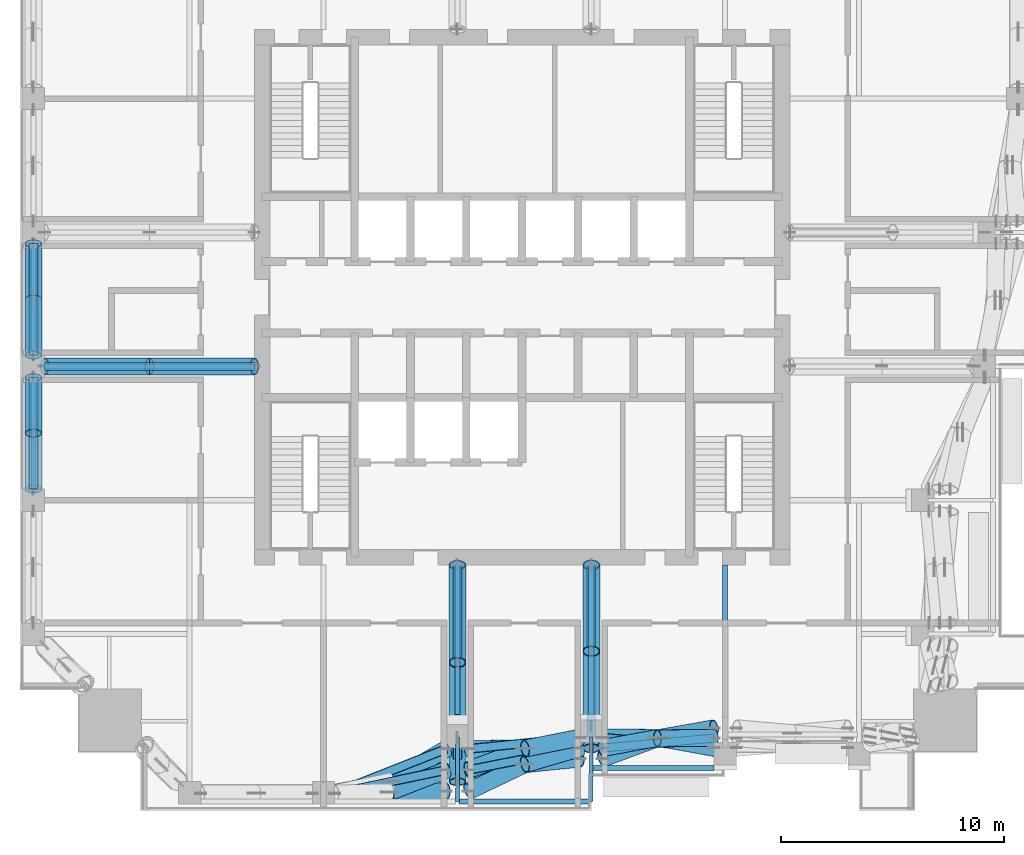
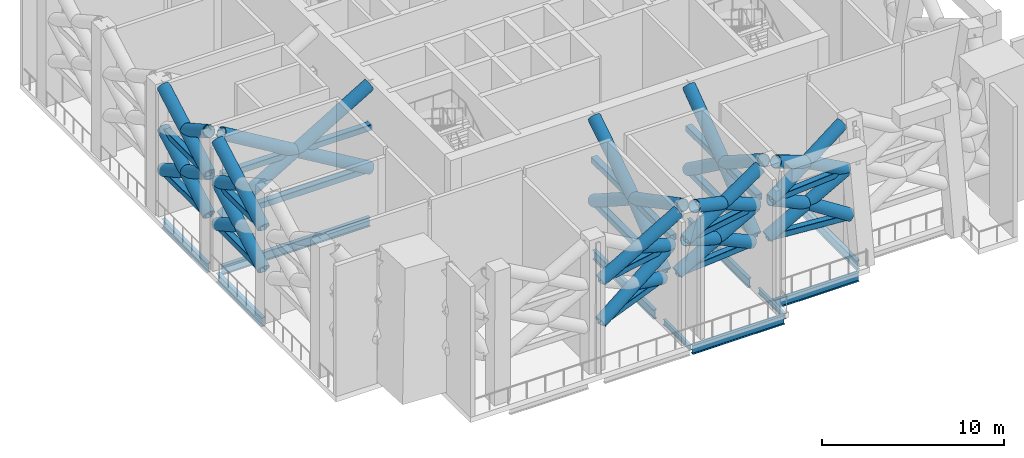
# One storey, part 2 of 18: 37 members, 26 beams.
"""IFC4 building model written with IfcOpenShell, lengths in metres."""

from ifc_helpers import new_model, si_unit, direction, frame, origin, origin_2d, place, context, subcontext, project, spatial, hollow_rectangle, hollow_circle, i_section, extrude, material, material_profile, profile_set, type_object, element, save


model = new_model("IFC4")

# Units and contexts
model_context = context("Model", 3, precision=1e-05, world=origin(), true_north=direction((0.0, 1.0)))
body_context = subcontext(model_context, "Body", "Model", "MODEL_VIEW")
ifc_project = project(units=[si_unit("LENGTHUNIT", "METRE"), si_unit("AREAUNIT", "SQUARE_METRE"), si_unit("VOLUMEUNIT", "CUBIC_METRE"), si_unit("PLANEANGLEUNIT", "RADIAN"), si_unit("MASSUNIT", "GRAM", prefix="KILO")], contexts=[model_context])

# Site, building, storey
site_placement = place(None, origin())
site = spatial("IfcSite", under=ifc_project, at=site_placement, CompositionType="ELEMENT")
building_placement = place(site_placement, origin())
building = spatial("IfcBuilding", under=site, at=building_placement, Name="Amberfall Residences", CompositionType="ELEMENT")
storey_placement = place(building_placement, frame((0.0, 0.0, 178.0)))
storey = spatial("IfcBuildingStorey", under=building, at=storey_placement, Name="L48", CompositionType="ELEMENT", Elevation=178.0)

# Beams
ifc_material = material(Name="Steel S355", Category="steel")
ifc_material_profile_1 = material_profile(ifc_material, hollow_rectangle(XDim=0.39990234375, YDim=0.39990234375, WallThickness=0.02001953125, InnerFilletRadius=0.02001953125, OuterFilletRadius=0.030029296875, at=origin_2d()), Name="RHS 400x400x20")
ifc_profile_set_1 = profile_set([ifc_material_profile_1], Name="Steel S355")
beam_type_1 = type_object("IfcBeamType", Name="Belt truss chord BT RHS 400x400x20", PredefinedType="BEAM", material=ifc_profile_set_1)
beam_1_placement = place(storey_placement, frame((66.10009765625, 23.28271484375, 2.89990234375), z_axis=(0.930158486811, 0.367158262079, 0.0), x_axis=(-0.367158262079, 0.930158486811, 0.0)))
element("IfcBeam", 1, at=beam_1_placement, inside=storey, type_object=beam_type_1, Name="Belt truss chord BT3 L48 S2", PredefinedType="BEAM", context=body_context, shape_type="SweptSolid", body=[
    extrude(hollow_rectangle(XDim=0.39990234375, YDim=0.39990234375, WallThickness=0.02001953125, InnerFilletRadius=0.02001953125, OuterFilletRadius=0.030029296875, at=origin_2d()), origin(), (0.0, 0.0, 1.0), 5.37548828125),
])
beam_2_placement = place(storey_placement, frame((66.10009765625, 23.267578125, 5.699951171875), z_axis=(0.978929488174, 0.204198572924, 0.0), x_axis=(-0.204198572924, 0.978929488174, 0.0)))
element("IfcBeam", 2, at=beam_2_placement, inside=storey, type_object=beam_type_1, Name="Belt truss chord BT3 L48 S2m", PredefinedType="BEAM", context=body_context, shape_type="SweptSolid", body=[
    extrude(hollow_rectangle(XDim=0.39990234375, YDim=0.39990234375, WallThickness=0.02001953125, InnerFilletRadius=0.02001953125, OuterFilletRadius=0.030029296875, at=origin_2d()), origin(), (0.0, 0.0, 1.0), 5.107666015625),
])
beam_3_placement = place(storey_placement, frame((72.10009765625, 25.25634765625, 2.89990234375), z_axis=(0.994852747565, 0.10133119294, 0.0), x_axis=(-0.10133119294, 0.994852747565, 0.0)))
element("IfcBeam", 3, at=beam_3_placement, inside=storey, type_object=beam_type_1, Name="Belt truss chord BT3 L48 S3", PredefinedType="BEAM", context=body_context, shape_type="SweptSolid", body=[
    extrude(hollow_rectangle(XDim=0.39990234375, YDim=0.39990234375, WallThickness=0.02001953125, InnerFilletRadius=0.02001953125, OuterFilletRadius=0.030029296875, at=origin_2d()), origin(), (0.0, 0.0, 1.0), 5.02587890625),
])
beam_4_placement = place(storey_placement, frame((72.10009765625, 24.310546875, 5.699951171875), z_axis=(0.981238462927, 0.192798026114, 0.0), x_axis=(-0.192798026114, 0.981238462927, 0.0)))
element("IfcBeam", 4, at=beam_4_placement, inside=storey, type_object=beam_type_1, Name="Belt truss chord BT3 L48 S3m", PredefinedType="BEAM", context=body_context, shape_type="SweptSolid", body=[
    extrude(hollow_rectangle(XDim=0.39990234375, YDim=0.39990234375, WallThickness=0.02001953125, InnerFilletRadius=0.02001953125, OuterFilletRadius=0.030029296875, at=origin_2d()), origin(), (0.0, 0.0, 1.0), 5.095703125),
])
beam_5_placement = place(storey_placement, frame((78.10009765625, 25.765625, 2.89990234375), z_axis=(0.995697252646, -0.092665965017, 0.0), x_axis=(0.092665965017, 0.995697252646, 0.0)))
element("IfcBeam", 5, at=beam_5_placement, inside=storey, type_object=beam_type_1, Name="Belt truss chord BT3 L48 S4", PredefinedType="BEAM", context=body_context, shape_type="SweptSolid", body=[
    extrude(hollow_rectangle(XDim=0.39990234375, YDim=0.39990234375, WallThickness=0.02001953125, InnerFilletRadius=0.02001953125, OuterFilletRadius=0.030029296875, at=origin_2d()), origin(), (0.0, 0.0, 1.0), 5.021728515625),
])
beam_6_placement = place(storey_placement, frame((78.10009765625, 25.29296875, 5.699951171875), z_axis=(0.995992653595, 0.089435082518, 0.0), x_axis=(-0.089435082518, 0.995992653595, 0.0)))
element("IfcBeam", 6, at=beam_6_placement, inside=storey, type_object=beam_type_1, Name="Belt truss chord BT3 L48 S4m", PredefinedType="BEAM", context=body_context, shape_type="SweptSolid", body=[
    extrude(hollow_rectangle(XDim=0.39990234375, YDim=0.39990234375, WallThickness=0.02001953125, InnerFilletRadius=0.02001953125, OuterFilletRadius=0.030029296875, at=origin_2d()), origin(), (0.0, 0.0, 1.0), 5.02001953125),
])
for number, where, z_axis, x_axis, name in (
    (7, (52.60009765625, 36.89990234375, 2.89990234375), (0.0, 1.0, 0.0), (-1.0, 0.0, 0.0), "Belt truss chord BT3 L48 W2"),
    (8, (52.60009765625, 36.89990234375, 5.699951171875), (0.0, 1.0, 0.0), (-1.0, 0.0, 0.0), "Belt truss chord BT3 L48 W2m"),
    (9, (52.60009765625, 42.89990234375, 2.89990234375), (0.0, 1.0, 0.0), (-1.0, 0.0, 0.0), "Belt truss chord BT3 L48 W3"),
    (10, (52.60009765625, 42.89990234375, 5.699951171875), (0.0, 1.0, 0.0), (-1.0, 0.0, 0.0), "Belt truss chord BT3 L48 W3m"),
):
    element("IfcBeam", number, at=place(storey_placement, frame(where, z_axis=z_axis, x_axis=x_axis)), inside=storey, type_object=beam_type_1, Name=name, PredefinedType="BEAM", context=body_context, shape_type="SweptSolid", body=[
        extrude(hollow_rectangle(XDim=0.39990234375, YDim=0.39990234375, WallThickness=0.02001953125, InnerFilletRadius=0.02001953125, OuterFilletRadius=0.030029296875, at=origin_2d()), origin(), (0.0, 0.0, 1.0), 5.0),
    ])

# Members
ifc_material_profile_2 = material_profile(ifc_material, hollow_circle(Radius=0.381103515625, WallThickness=0.0400390625, at=origin_2d()), Name="CHS 762x40")
ifc_profile_set_2 = profile_set([ifc_material_profile_2], Name="Steel S355")
member_type_1 = type_object("IfcMemberType", Name="Belt truss diagonal BT CHS 762x40", PredefinedType="BRACE", material=ifc_profile_set_2)
member_1_placement = place(storey_placement, frame((66.10009765625, 23.28271484375, 2.89990234375), z_axis=(0.858798380572, 0.176540096788, 0.480935479823), x_axis=(-0.201356020378, 0.979518122884, 0.0)))
element("IfcMember", 11, at=member_1_placement, inside=storey, type_object=member_type_1, Name="Belt truss diagonal BT4 L48 S2d", PredefinedType="BRACE", context=body_context, shape_type="SweptSolid", body=[
    extrude(hollow_circle(Radius=0.381103515625, WallThickness=0.0400390625, at=origin_2d()), origin(), (0.0, 0.0, 1.0), 5.822021484375),
])
member_2_placement = place(storey_placement, frame((68.59912109375, 23.79638671875, 4.299560546875), z_axis=(0.7775632204, 0.453907463686, -0.435159111925), x_axis=(-0.504143571866, 0.863619857892, 0.0)))
element("IfcMember", 12, at=member_2_placement, inside=storey, type_object=member_type_1, Name="Belt truss diagonal BT4 L48 S2e2", PredefinedType="BRACE", context=body_context, shape_type="SweptSolid", body=[
    extrude(hollow_circle(Radius=0.381103515625, WallThickness=0.0400390625, at=origin_2d()), origin(), (0.0, 0.0, 1.0), 3.21630859375),
])
member_3_placement = place(storey_placement, frame((66.10009765625, 23.267578125, 5.699951171875), z_axis=(0.872376987891, 0.01695341998, 0.488539632526), x_axis=(-0.019429925099, 0.999811221187, 0.0)))
element("IfcMember", 13, at=member_3_placement, inside=storey, type_object=member_type_1, Name="Belt truss diagonal BT4 L48 S2du", PredefinedType="BRACE", context=body_context, shape_type="SweptSolid", body=[
    extrude(hollow_circle(Radius=0.381103515625, WallThickness=0.0400390625, at=origin_2d()), origin(), (0.0, 0.0, 1.0), 5.7314453125),
])
member_4_placement = place(storey_placement, frame((68.557373046875, 23.3154296875, 7.076171875), z_axis=(0.831573648574, 0.325443513355, -0.450079755834), x_axis=(-0.364443174698, 0.931225629166, 0.0)))
element("IfcMember", 14, at=member_4_placement, inside=storey, type_object=member_type_1, Name="Belt truss diagonal BT4 L48 S2e2u", PredefinedType="BRACE", context=body_context, shape_type="SweptSolid", body=[
    extrude(hollow_circle(Radius=0.381103515625, WallThickness=0.0400390625, at=origin_2d()), origin(), (0.0, 0.0, 1.0), 3.0576171875),
])
member_5_placement = place(storey_placement, frame((72.10009765625, 25.25634765625, 2.89990234375), z_axis=(0.872484568816, 0.006390267838, 0.488599878894), x_axis=(-0.007324022307, 0.999973178989, 0.0)))
element("IfcMember", 15, at=member_5_placement, inside=storey, type_object=member_type_1, Name="Belt truss diagonal BT4 L48 S3d", PredefinedType="BRACE", context=body_context, shape_type="SweptSolid", body=[
    extrude(hollow_circle(Radius=0.381103515625, WallThickness=0.0400390625, at=origin_2d()), origin(), (0.0, 0.0, 1.0), 5.730712890625),
])
member_6_placement = place(storey_placement, frame((72.10009765625, 24.310546875, 5.699951171875), z_axis=(0.832652488767, 0.317009863193, -0.454086533151), x_axis=(-0.355808029588, 0.934559065057, 0.0)))
element("IfcMember", 16, at=member_6_placement, inside=storey, type_object=member_type_1, Name="Belt truss diagonal BT4 L48 S3e", PredefinedType="BRACE", context=body_context, shape_type="SweptSolid", body=[
    extrude(hollow_circle(Radius=0.381103515625, WallThickness=0.0400390625, at=origin_2d()), origin(), (0.0, 0.0, 1.0), 3.0419921875),
])
member_7_placement = place(storey_placement, frame((74.633056640625, 25.27490234375, 4.318603515625), z_axis=(0.854276009993, 0.16992526275, -0.491261543203), x_axis=(-0.195089437625, 0.980785456319, 0.0)))
element("IfcMember", 17, at=member_7_placement, inside=storey, type_object=member_type_1, Name="Belt truss diagonal BT4 L48 S3e2", PredefinedType="BRACE", context=body_context, shape_type="SweptSolid", body=[
    extrude(hollow_circle(Radius=0.381103515625, WallThickness=0.0400390625, at=origin_2d()), origin(), (0.0, 0.0, 1.0), 2.887939453125),
])
member_8_placement = place(storey_placement, frame((72.10009765625, 24.310546875, 5.699951171875), z_axis=(0.869070734494, 0.088604477228, 0.486688098335), x_axis=(-0.101427347535, 0.994842948999, 0.0)))
element("IfcMember", 18, at=member_8_placement, inside=storey, type_object=member_type_1, Name="Belt truss diagonal BT4 L48 S3du", PredefinedType="BRACE", context=body_context, shape_type="SweptSolid", body=[
    extrude(hollow_circle(Radius=0.381103515625, WallThickness=0.0400390625, at=origin_2d()), origin(), (0.0, 0.0, 1.0), 5.753173828125),
])
member_9_placement = place(storey_placement, frame((72.10009765625, 23.36474609375, 8.5), z_axis=(0.808384084152, 0.385567123196, -0.444806886188), x_axis=(-0.430499903291, 0.902590623299, 0.0)))
element("IfcMember", 19, at=member_9_placement, inside=storey, type_object=member_type_1, Name="Belt truss diagonal BT4 L48 S3eu", PredefinedType="BRACE", context=body_context, shape_type="SweptSolid", body=[
    extrude(hollow_circle(Radius=0.381103515625, WallThickness=0.0400390625, at=origin_2d()), origin(), (0.0, 0.0, 1.0), 3.119873046875),
])
member_10_placement = place(storey_placement, frame((74.6220703125, 24.567626953125, 7.1123046875), z_axis=(0.841995893383, 0.246460078743, -0.479896181598), x_axis=(-0.280922119865, 0.959730567696, 0.0)))
element("IfcMember", 20, at=member_10_placement, inside=storey, type_object=member_type_1, Name="Belt truss diagonal BT4 L48 S3e2u", PredefinedType="BRACE", context=body_context, shape_type="SweptSolid", body=[
    extrude(hollow_circle(Radius=0.381103515625, WallThickness=0.0400390625, at=origin_2d()), origin(), (0.0, 0.0, 1.0), 2.943115234375),
])
member_11_placement = place(storey_placement, frame((78.10009765625, 25.765625, 2.89990234375), z_axis=(0.872494933687, -0.004132422293, 0.488605683323), x_axis=(0.004736275001, 0.999988783787, 0.0)))
element("IfcMember", 21, at=member_11_placement, inside=storey, type_object=member_type_1, Name="Belt truss diagonal BT4 L48 S4d", PredefinedType="BRACE", context=body_context, shape_type="SweptSolid", body=[
    extrude(hollow_circle(Radius=0.381103515625, WallThickness=0.0400390625, at=origin_2d()), origin(), (0.0, 0.0, 1.0), 5.730712890625),
])
member_12_placement = place(storey_placement, frame((78.10009765625, 25.29296875, 5.699951171875), z_axis=(0.861882574403, 0.158670479795, -0.481645208408), x_axis=(-0.181054976265, 0.983472976532, 0.0)))
element("IfcMember", 22, at=member_12_placement, inside=storey, type_object=member_type_1, Name="Belt truss diagonal BT4 L48 S4e", PredefinedType="BRACE", context=body_context, shape_type="SweptSolid", body=[
    extrude(hollow_circle(Radius=0.381103515625, WallThickness=0.0400390625, at=origin_2d()), origin(), (0.0, 0.0, 1.0), 2.903564453125),
])
member_13_placement = place(storey_placement, frame((80.6025390625, 25.753662109375, 4.301513671875), z_axis=(0.861336858476, -0.156354110087, -0.483375845993), x_axis=(0.178606124484, 0.983920653456, 0.0)))
element("IfcMember", 23, at=member_13_placement, inside=storey, type_object=member_type_1, Name="Belt truss diagonal BT4 L48 S4e2", PredefinedType="BRACE", context=body_context, shape_type="SweptSolid", body=[
    extrude(hollow_circle(Radius=0.381103515625, WallThickness=0.0400390625, at=origin_2d()), origin(), (0.0, 0.0, 1.0), 2.899658203125),
])
member_14_placement = place(storey_placement, frame((78.10009765625, 25.29296875, 5.699951171875), z_axis=(0.862158011322, 0.153529798208, 0.482816905852), x_axis=(-0.175318099707, 0.984511840414, 0.0)))
element("IfcMember", 24, at=member_14_placement, inside=storey, type_object=member_type_1, Name="Belt truss diagonal BT4 L48 S4du", PredefinedType="BRACE", context=body_context, shape_type="SweptSolid", body=[
    extrude(hollow_circle(Radius=0.381103515625, WallThickness=0.0400390625, at=origin_2d()), origin(), (0.0, 0.0, 1.0), 5.79931640625),
])
member_15_placement = place(storey_placement, frame((78.10009765625, 24.8203125, 8.5), z_axis=(0.824733827217, 0.305226759537, -0.476078501411), x_axis=(-0.347084139718, 0.937833993816, 0.0)))
element("IfcMember", 25, at=member_15_placement, inside=storey, type_object=member_type_1, Name="Belt truss diagonal BT4 L48 S4eu", PredefinedType="BRACE", context=body_context, shape_type="SweptSolid", body=[
    extrude(hollow_circle(Radius=0.381103515625, WallThickness=0.0400390625, at=origin_2d()), origin(), (0.0, 0.0, 1.0), 2.985107421875),
])
member_16_placement = place(storey_placement, frame((80.56201171875, 25.7314453125, 7.078857421875), z_axis=(0.878689620066, 0.003634441484, -0.477379662767), x_axis=(-0.004136170852, 0.999991446009, 0.0)))
element("IfcMember", 26, at=member_16_placement, inside=storey, type_object=member_type_1, Name="Belt truss diagonal BT4 L48 S4e2u", PredefinedType="BRACE", context=body_context, shape_type="SweptSolid", body=[
    extrude(hollow_circle(Radius=0.381103515625, WallThickness=0.0400390625, at=origin_2d()), origin(), (0.0, 0.0, 1.0), 2.888427734375),
])
member_17_placement = place(storey_placement, frame((52.60009765625, 36.89990234375, 2.89990234375), z_axis=(0.0, 0.872502383543, 0.488609855315), x_axis=(-1.0, 0.0, 0.0)))
element("IfcMember", 27, at=member_17_placement, inside=storey, type_object=member_type_1, Name="Belt truss diagonal BT4 L48 W2d", PredefinedType="BRACE", context=body_context, shape_type="SweptSolid", body=[
    extrude(hollow_circle(Radius=0.381103515625, WallThickness=0.0400390625, at=origin_2d()), origin(), (0.0, 0.0, 1.0), 5.730712890625),
])
member_18_placement = place(storey_placement, frame((52.60009765625, 39.39990234375, 4.300048828125), z_axis=(0.0, 0.872484221242, -0.488642286018), x_axis=(-1.0, 0.0, 0.0)))
element("IfcMember", 28, at=member_18_placement, inside=storey, type_object=member_type_1, Name="Belt truss diagonal BT4 L48 W2e2", PredefinedType="BRACE", context=body_context, shape_type="SweptSolid", body=[
    extrude(hollow_circle(Radius=0.381103515625, WallThickness=0.0400390625, at=origin_2d()), origin(), (0.0, 0.0, 1.0), 2.865478515625),
])
member_19_placement = place(storey_placement, frame((52.60009765625, 36.89990234375, 5.699951171875), z_axis=(0.0, 0.872502383543, 0.488609855315), x_axis=(-1.0, 0.0, 0.0)))
element("IfcMember", 29, at=member_19_placement, inside=storey, type_object=member_type_1, Name="Belt truss diagonal BT4 L48 W2du", PredefinedType="BRACE", context=body_context, shape_type="SweptSolid", body=[
    extrude(hollow_circle(Radius=0.381103515625, WallThickness=0.0400390625, at=origin_2d()), origin(), (0.0, 0.0, 1.0), 5.730712890625),
])
member_20_placement = place(storey_placement, frame((52.60009765625, 39.39990234375, 7.10009765625), z_axis=(0.0, 0.872484221242, -0.488642286018), x_axis=(-1.0, 0.0, 0.0)))
element("IfcMember", 30, at=member_20_placement, inside=storey, type_object=member_type_1, Name="Belt truss diagonal BT4 L48 W2e2u", PredefinedType="BRACE", context=body_context, shape_type="SweptSolid", body=[
    extrude(hollow_circle(Radius=0.381103515625, WallThickness=0.0400390625, at=origin_2d()), origin(), (0.0, 0.0, 1.0), 2.865478515625),
])
member_21_placement = place(storey_placement, frame((52.60009765625, 42.89990234375, 2.89990234375), z_axis=(0.0, 0.872502383543, 0.488609855315), x_axis=(-1.0, 0.0, 0.0)))
element("IfcMember", 31, at=member_21_placement, inside=storey, type_object=member_type_1, Name="Belt truss diagonal BT4 L48 W3d", PredefinedType="BRACE", context=body_context, shape_type="SweptSolid", body=[
    extrude(hollow_circle(Radius=0.381103515625, WallThickness=0.0400390625, at=origin_2d()), origin(), (0.0, 0.0, 1.0), 5.730712890625),
])
member_22_placement = place(storey_placement, frame((52.60009765625, 42.89990234375, 5.699951171875), z_axis=(0.0, 0.872520545396, -0.488577422588), x_axis=(-1.0, 0.0, 0.0)))
element("IfcMember", 32, at=member_22_placement, inside=storey, type_object=member_type_1, Name="Belt truss diagonal BT4 L48 W3e", PredefinedType="BRACE", context=body_context, shape_type="SweptSolid", body=[
    extrude(hollow_circle(Radius=0.381103515625, WallThickness=0.0400390625, at=origin_2d()), origin(), (0.0, 0.0, 1.0), 2.865234375),
])
member_23_placement = place(storey_placement, frame((52.60009765625, 45.39990234375, 4.300048828125), z_axis=(0.0, 0.872484221242, -0.488642286018), x_axis=(-1.0, 0.0, 0.0)))
element("IfcMember", 33, at=member_23_placement, inside=storey, type_object=member_type_1, Name="Belt truss diagonal BT4 L48 W3e2", PredefinedType="BRACE", context=body_context, shape_type="SweptSolid", body=[
    extrude(hollow_circle(Radius=0.381103515625, WallThickness=0.0400390625, at=origin_2d()), origin(), (0.0, 0.0, 1.0), 2.865478515625),
])
member_24_placement = place(storey_placement, frame((52.60009765625, 42.89990234375, 5.699951171875), z_axis=(0.0, 0.872502383543, 0.488609855315), x_axis=(-1.0, 0.0, 0.0)))
element("IfcMember", 34, at=member_24_placement, inside=storey, type_object=member_type_1, Name="Belt truss diagonal BT4 L48 W3du", PredefinedType="BRACE", context=body_context, shape_type="SweptSolid", body=[
    extrude(hollow_circle(Radius=0.381103515625, WallThickness=0.0400390625, at=origin_2d()), origin(), (0.0, 0.0, 1.0), 5.730712890625),
])
member_25_placement = place(storey_placement, frame((52.60009765625, 42.89990234375, 8.5), z_axis=(0.0, 0.872520545396, -0.488577422588), x_axis=(-1.0, 0.0, 0.0)))
element("IfcMember", 35, at=member_25_placement, inside=storey, type_object=member_type_1, Name="Belt truss diagonal BT4 L48 W3eu", PredefinedType="BRACE", context=body_context, shape_type="SweptSolid", body=[
    extrude(hollow_circle(Radius=0.381103515625, WallThickness=0.0400390625, at=origin_2d()), origin(), (0.0, 0.0, 1.0), 2.865234375),
])

# Beams
ifc_material_profile_3 = material_profile(ifc_material, i_section(OverallWidth=0.171142578125, OverallDepth=0.351318359375, WebThickness=0.007080078125, FlangeThickness=0.009765625, FilletRadius=0.01025390625, at=origin_2d()), Name="UB 356x171x45")
ifc_profile_set_3 = profile_set([ifc_material_profile_3], Name="Steel S355")
beam_type_2 = type_object("IfcBeamType", Name="Cantilever girder UB 356x171x45", PredefinedType="BEAM", material=ifc_profile_set_3)
for number, where, z_axis, x_axis, name in (
    (36, (71.60009765625, 25.800048828125, -0.525634765625), (0.0, -1.0, 0.0), (1.0, 0.0, 0.0), "Cantilever girder B8 L48 06"),
    (37, (77.60009765625, 25.800048828125, -0.525634765625), (0.0, -1.0, 0.0), (1.0, 0.0, 0.0), "Cantilever girder B8 L48 07"),
):
    element("IfcBeam", number, at=place(storey_placement, frame(where, z_axis=z_axis, x_axis=x_axis)), inside=storey, type_object=beam_type_2, Name=name, PredefinedType="BEAM", context=body_context, shape_type="SweptSolid", body=[
        extrude(i_section(OverallWidth=0.171142578125, OverallDepth=0.351318359375, WebThickness=0.007080078125, FlangeThickness=0.009765625, FilletRadius=0.01025390625, at=origin_2d()), origin(), (0.0, 0.0, 1.0), 2.900146484375),
    ])
ifc_material_profile_4 = material_profile(ifc_material, i_section(OverallWidth=0.228271484375, OverallDepth=0.607666015625, WebThickness=0.010986328125, FlangeThickness=0.017333984375, FilletRadius=0.0126953125, at=origin_2d()), Name="UB 610x229x113")
ifc_profile_set_4 = profile_set([ifc_material_profile_4], Name="Steel S355")
beam_type_3 = type_object("IfcBeamType", Name="Edge beam UB 610x229x113", PredefinedType="SPANDREL", material=ifc_profile_set_4)
beam_7_placement = place(storey_placement, frame((71.679931640625, 22.89990234375, -0.65380859375), z_axis=(1.0, 0.0, 0.0), x_axis=(0.0, 1.0, 0.0)))
element("IfcBeam", 38, at=beam_7_placement, inside=storey, type_object=beam_type_3, Name="Edge beam B12 L48 03", PredefinedType="SPANDREL", context=body_context, shape_type="SweptSolid", body=[
    extrude(i_section(OverallWidth=0.228271484375, OverallDepth=0.607666015625, WebThickness=0.010986328125, FlangeThickness=0.017333984375, FilletRadius=0.0126953125, at=origin_2d()), origin(), (0.0, 0.0, 1.0), 5.840087890625),
])
beam_8_placement = place(storey_placement, frame((77.679931640625, 24.39990234375, -0.65380859375), z_axis=(1.0, 0.0, 0.0), x_axis=(0.0, 1.0, 0.0)))
element("IfcBeam", 39, at=beam_8_placement, inside=storey, type_object=beam_type_3, Name="Edge beam B12 L48 04", PredefinedType="SPANDREL", context=body_context, shape_type="SweptSolid", body=[
    extrude(i_section(OverallWidth=0.228271484375, OverallDepth=0.607666015625, WebThickness=0.010986328125, FlangeThickness=0.017333984375, FilletRadius=0.0126953125, at=origin_2d()), origin(), (0.0, 0.0, 1.0), 5.420166015625),
])
for number, where, z_axis, x_axis, name in (
    (40, (52.60009765625, 36.89990234375, -0.65380859375), (0.0, 1.0, 0.0), (-1.0, 0.0, 0.0), "Edge beam B12 L48 41"),
    (41, (52.60009765625, 42.89990234375, -0.65380859375), (0.0, 1.0, 0.0), (-1.0, 0.0, 0.0), "Edge beam B12 L48 42"),
):
    element("IfcBeam", number, at=place(storey_placement, frame(where, z_axis=z_axis, x_axis=x_axis)), inside=storey, type_object=beam_type_3, Name=name, PredefinedType="SPANDREL", context=body_context, shape_type="SweptSolid", body=[
        extrude(i_section(OverallWidth=0.228271484375, OverallDepth=0.607666015625, WebThickness=0.010986328125, FlangeThickness=0.017333984375, FilletRadius=0.0126953125, at=origin_2d()), origin(), (0.0, 0.0, 1.0), 5.0),
    ])
ifc_material_profile_5 = material_profile(ifc_material, i_section(OverallWidth=0.230224609375, OverallDepth=0.6171875, WebThickness=0.01318359375, FlangeThickness=0.022216796875, FilletRadius=0.0126953125, at=origin_2d()), Name="UB 610x229x140")
ifc_profile_set_5 = profile_set([ifc_material_profile_5], Name="Steel S355")
beam_type_4 = type_object("IfcBeamType", Name="Floor girder UB 610x229x140", PredefinedType="BEAM", material=ifc_profile_set_5)
for number, where, z_axis, x_axis, name in (
    (42, (71.60009765625, 26.800048828125, -0.65869140625), (0.0, 1.0, 0.0), (-1.0, 0.0, 0.0), "Floor girder B13 L48 10"),
    (43, (77.60009765625, 26.800048828125, -0.65869140625), (0.0, 1.0, 0.0), (-1.0, 0.0, 0.0), "Floor girder B13 L48 11"),
):
    element("IfcBeam", number, at=place(storey_placement, frame(where, z_axis=z_axis, x_axis=x_axis)), inside=storey, type_object=beam_type_4, Name=name, PredefinedType="BEAM", context=body_context, shape_type="SweptSolid", body=[
        extrude(i_section(OverallWidth=0.230224609375, OverallDepth=0.6171875, WebThickness=0.01318359375, FlangeThickness=0.022216796875, FilletRadius=0.0126953125, at=origin_2d()), origin(), (0.0, 0.0, 1.0), 6.699951171875),
    ])
beam_9_placement = place(storey_placement, frame((83.60009765625, 25.300048828125, -0.65869140625), z_axis=(0.0, 1.0, 0.0), x_axis=(-1.0, 0.0, 0.0)))
element("IfcBeam", 44, at=beam_9_placement, inside=storey, type_object=beam_type_4, Name="Floor girder B13 L48 12", PredefinedType="BEAM", context=body_context, shape_type="SweptSolid", body=[
    extrude(i_section(OverallWidth=0.230224609375, OverallDepth=0.6171875, WebThickness=0.01318359375, FlangeThickness=0.022216796875, FilletRadius=0.0126953125, at=origin_2d()), origin(), (0.0, 0.0, 1.0), 8.199951171875),
])
beam_10_placement = place(storey_placement, frame((53.10009765625, 42.39990234375, -0.65869140625), z_axis=(1.0, 0.0, 0.0), x_axis=(0.0, 1.0, 0.0)))
element("IfcBeam", 45, at=beam_10_placement, inside=storey, type_object=beam_type_4, Name="Floor girder B13 L48 47", PredefinedType="BEAM", context=body_context, shape_type="SweptSolid", body=[
    extrude(i_section(OverallWidth=0.230224609375, OverallDepth=0.6171875, WebThickness=0.01318359375, FlangeThickness=0.022216796875, FilletRadius=0.0126953125, at=origin_2d()), origin(), (0.0, 0.0, 1.0), 9.39990234375),
])
ifc_material_profile_6 = material_profile(ifc_material, hollow_rectangle(XDim=0.39990234375, YDim=0.39990234375, WallThickness=0.02001953125, InnerFilletRadius=0.02001953125, OuterFilletRadius=0.030029296875, at=origin_2d()), Name="RHS 400x400x20")
ifc_profile_set_6 = profile_set([ifc_material_profile_6], Name="Steel S355")
beam_type_5 = type_object("IfcBeamType", Name="Outrigger truss chord OT RHS 400x400x20", PredefinedType="BEAM", material=ifc_profile_set_6)
beam_11_placement = place(storey_placement, frame((71.60009765625, 25.75634765625, 2.89990234375), z_axis=(0.0, 1.0, 0.0), x_axis=(-1.0, 0.0, 0.0)))
element("IfcBeam", 46, at=beam_11_placement, inside=storey, type_object=beam_type_5, Name="Outrigger truss chord OT2 L48 1", PredefinedType="BEAM", context=body_context, shape_type="SweptSolid", body=[
    extrude(hollow_rectangle(XDim=0.39990234375, YDim=0.39990234375, WallThickness=0.02001953125, InnerFilletRadius=0.02001953125, OuterFilletRadius=0.030029296875, at=origin_2d()), origin(), (0.0, 0.0, 1.0), 7.74365234375),
])
beam_12_placement = place(storey_placement, frame((71.60009765625, 24.810546875, 5.699951171875), z_axis=(0.0, 1.0, 0.0), x_axis=(-1.0, 0.0, 0.0)))
element("IfcBeam", 47, at=beam_12_placement, inside=storey, type_object=beam_type_5, Name="Outrigger truss chord OT2 L48 1m", PredefinedType="BEAM", context=body_context, shape_type="SweptSolid", body=[
    extrude(hollow_rectangle(XDim=0.39990234375, YDim=0.39990234375, WallThickness=0.02001953125, InnerFilletRadius=0.02001953125, OuterFilletRadius=0.030029296875, at=origin_2d()), origin(), (0.0, 0.0, 1.0), 8.689453125),
])
beam_13_placement = place(storey_placement, frame((77.60009765625, 26.265625, 2.89990234375), z_axis=(0.0, 1.0, 0.0), x_axis=(-1.0, 0.0, 0.0)))
element("IfcBeam", 48, at=beam_13_placement, inside=storey, type_object=beam_type_5, Name="Outrigger truss chord OT2 L48 2", PredefinedType="BEAM", context=body_context, shape_type="SweptSolid", body=[
    extrude(hollow_rectangle(XDim=0.39990234375, YDim=0.39990234375, WallThickness=0.02001953125, InnerFilletRadius=0.02001953125, OuterFilletRadius=0.030029296875, at=origin_2d()), origin(), (0.0, 0.0, 1.0), 7.234375),
])
beam_14_placement = place(storey_placement, frame((77.60009765625, 25.79296875, 5.699951171875), z_axis=(0.0, 1.0, 0.0), x_axis=(-1.0, 0.0, 0.0)))
element("IfcBeam", 49, at=beam_14_placement, inside=storey, type_object=beam_type_5, Name="Outrigger truss chord OT2 L48 2m", PredefinedType="BEAM", context=body_context, shape_type="SweptSolid", body=[
    extrude(hollow_rectangle(XDim=0.39990234375, YDim=0.39990234375, WallThickness=0.02001953125, InnerFilletRadius=0.02001953125, OuterFilletRadius=0.030029296875, at=origin_2d()), origin(), (0.0, 0.0, 1.0), 7.70703125),
])
for number, where, z_axis, x_axis, name in (
    (50, (53.10009765625, 42.39990234375, 2.89990234375), (1.0, 0.0, 0.0), (0.0, 1.0, 0.0), "Outrigger truss chord OT2 L48 5"),
    (51, (53.10009765625, 42.39990234375, 5.699951171875), (1.0, 0.0, 0.0), (0.0, 1.0, 0.0), "Outrigger truss chord OT2 L48 5m"),
):
    element("IfcBeam", number, at=place(storey_placement, frame(where, z_axis=z_axis, x_axis=x_axis)), inside=storey, type_object=beam_type_5, Name=name, PredefinedType="BEAM", context=body_context, shape_type="SweptSolid", body=[
        extrude(hollow_rectangle(XDim=0.39990234375, YDim=0.39990234375, WallThickness=0.02001953125, InnerFilletRadius=0.02001953125, OuterFilletRadius=0.030029296875, at=origin_2d()), origin(), (0.0, 0.0, 1.0), 9.39990234375),
    ])

# Members
ifc_material_profile_7 = material_profile(ifc_material, hollow_circle(Radius=0.381103515625, WallThickness=0.0400390625, at=origin_2d()), Name="CHS 762x40")
ifc_profile_set_7 = profile_set([ifc_material_profile_7], Name="Steel S355")
member_type_2 = type_object("IfcMemberType", Name="Outrigger truss diagonal OT CHS 762x40", PredefinedType="BRACE", material=ifc_profile_set_7)
member_26_placement = place(storey_placement, frame((71.60009765625, 25.75634765625, 2.89990234375), z_axis=(0.0, 0.76988798269, 0.638179045495), x_axis=(-1.0, 0.0, 0.0)))
element("IfcMember", 52, at=member_26_placement, inside=storey, type_object=member_type_2, Name="Outrigger truss diagonal OT3 L48 1.1", PredefinedType="BRACE", context=body_context, shape_type="SweptSolid", body=[
    extrude(hollow_circle(Radius=0.381103515625, WallThickness=0.0400390625, at=origin_2d()), origin(), (0.0, 0.0, 1.0), 4.387451171875),
])
member_27_placement = place(storey_placement, frame((71.60009765625, 29.13427734375, 5.699951171875), z_axis=(0.0, 0.841746955921, -0.539872264705), x_axis=(-1.0, 0.0, 0.0)))
element("IfcMember", 53, at=member_27_placement, inside=storey, type_object=member_type_2, Name="Outrigger truss diagonal OT3 L48 1.2", PredefinedType="BRACE", context=body_context, shape_type="SweptSolid", body=[
    extrude(hollow_circle(Radius=0.381103515625, WallThickness=0.0400390625, at=origin_2d()), origin(), (0.0, 0.0, 1.0), 5.1865234375),
])
member_28_placement = place(storey_placement, frame((71.60009765625, 23.780517578125, 8.5), z_axis=(0.0, 0.886123999159, -0.463448225927), x_axis=(-1.0, 0.0, 0.0)))
element("IfcMember", 54, at=member_28_placement, inside=storey, type_object=member_type_2, Name="Outrigger truss diagonal OT3 L48 1.1u", PredefinedType="BRACE", context=body_context, shape_type="SweptSolid", body=[
    extrude(hollow_circle(Radius=0.381103515625, WallThickness=0.0400390625, at=origin_2d()), origin(), (0.0, 0.0, 1.0), 6.041748046875),
])
member_29_placement = place(storey_placement, frame((71.60009765625, 29.13427734375, 5.699951171875), z_axis=(0.0, 0.841746955921, 0.539872264705), x_axis=(-1.0, 0.0, 0.0)))
element("IfcMember", 55, at=member_29_placement, inside=storey, type_object=member_type_2, Name="Outrigger truss diagonal OT3 L48 1.2u", PredefinedType="BRACE", context=body_context, shape_type="SweptSolid", body=[
    extrude(hollow_circle(Radius=0.381103515625, WallThickness=0.0400390625, at=origin_2d()), origin(), (0.0, 0.0, 1.0), 5.1865234375),
])
member_30_placement = place(storey_placement, frame((77.60009765625, 26.265625, 2.89990234375), z_axis=(0.0, 0.769184052974, 0.63902730196), x_axis=(-1.0, 0.0, 0.0)))
element("IfcMember", 56, at=member_30_placement, inside=storey, type_object=member_type_2, Name="Outrigger truss diagonal OT3 L48 2.1", PredefinedType="BRACE", context=body_context, shape_type="SweptSolid", body=[
    extrude(hollow_circle(Radius=0.381103515625, WallThickness=0.0400390625, at=origin_2d()), origin(), (0.0, 0.0, 1.0), 4.3818359375),
])
member_31_placement = place(storey_placement, frame((77.60009765625, 29.635986328125, 5.699951171875), z_axis=(0.0, 0.80974596736, -0.586780596427), x_axis=(-1.0, 0.0, 0.0)))
element("IfcMember", 57, at=member_31_placement, inside=storey, type_object=member_type_2, Name="Outrigger truss diagonal OT3 L48 2.2", PredefinedType="BRACE", context=body_context, shape_type="SweptSolid", body=[
    extrude(hollow_circle(Radius=0.381103515625, WallThickness=0.0400390625, at=origin_2d()), origin(), (0.0, 0.0, 1.0), 4.77197265625),
])
member_32_placement = place(storey_placement, frame((77.60009765625, 25.278076171875, 8.5), z_axis=(0.0, 0.841307086341, -0.540557477492), x_axis=(-1.0, 0.0, 0.0)))
element("IfcMember", 58, at=member_32_placement, inside=storey, type_object=member_type_2, Name="Outrigger truss diagonal OT3 L48 2.1u", PredefinedType="BRACE", context=body_context, shape_type="SweptSolid", body=[
    extrude(hollow_circle(Radius=0.381103515625, WallThickness=0.0400390625, at=origin_2d()), origin(), (0.0, 0.0, 1.0), 5.179931640625),
])
member_33_placement = place(storey_placement, frame((77.60009765625, 29.635986328125, 5.699951171875), z_axis=(0.0, 0.80974596736, 0.586780596427), x_axis=(-1.0, 0.0, 0.0)))
element("IfcMember", 59, at=member_33_placement, inside=storey, type_object=member_type_2, Name="Outrigger truss diagonal OT3 L48 2.2u", PredefinedType="BRACE", context=body_context, shape_type="SweptSolid", body=[
    extrude(hollow_circle(Radius=0.381103515625, WallThickness=0.0400390625, at=origin_2d()), origin(), (0.0, 0.0, 1.0), 4.77197265625),
])
for number, where, z_axis, x_axis, name in (
    (60, (53.10009765625, 42.39990234375, 2.89990234375), (0.859095281591, 0.0, 0.511815686695), (0.0, 1.0, 0.0), "Outrigger truss diagonal OT3 L48 5.1"),
    (61, (57.800048828125, 42.39990234375, 5.699951171875), (0.859095281591, 0.0, -0.511815686695), (0.0, 1.0, 0.0), "Outrigger truss diagonal OT3 L48 5.2"),
    (62, (53.10009765625, 42.39990234375, 8.5), (0.859095281591, 0.0, -0.511815686695), (0.0, 1.0, 0.0), "Outrigger truss diagonal OT3 L48 5.1u"),
    (63, (57.800048828125, 42.39990234375, 5.699951171875), (0.859095281591, 0.0, 0.511815686695), (0.0, 1.0, 0.0), "Outrigger truss diagonal OT3 L48 5.2u"),
):
    element("IfcMember", number, at=place(storey_placement, frame(where, z_axis=z_axis, x_axis=x_axis)), inside=storey, type_object=member_type_2, Name=name, PredefinedType="BRACE", context=body_context, shape_type="SweptSolid", body=[
        extrude(hollow_circle(Radius=0.381103515625, WallThickness=0.0400390625, at=origin_2d()), origin(), (0.0, 0.0, 1.0), 5.470703125),
    ])

save(model, "model.ifc")
